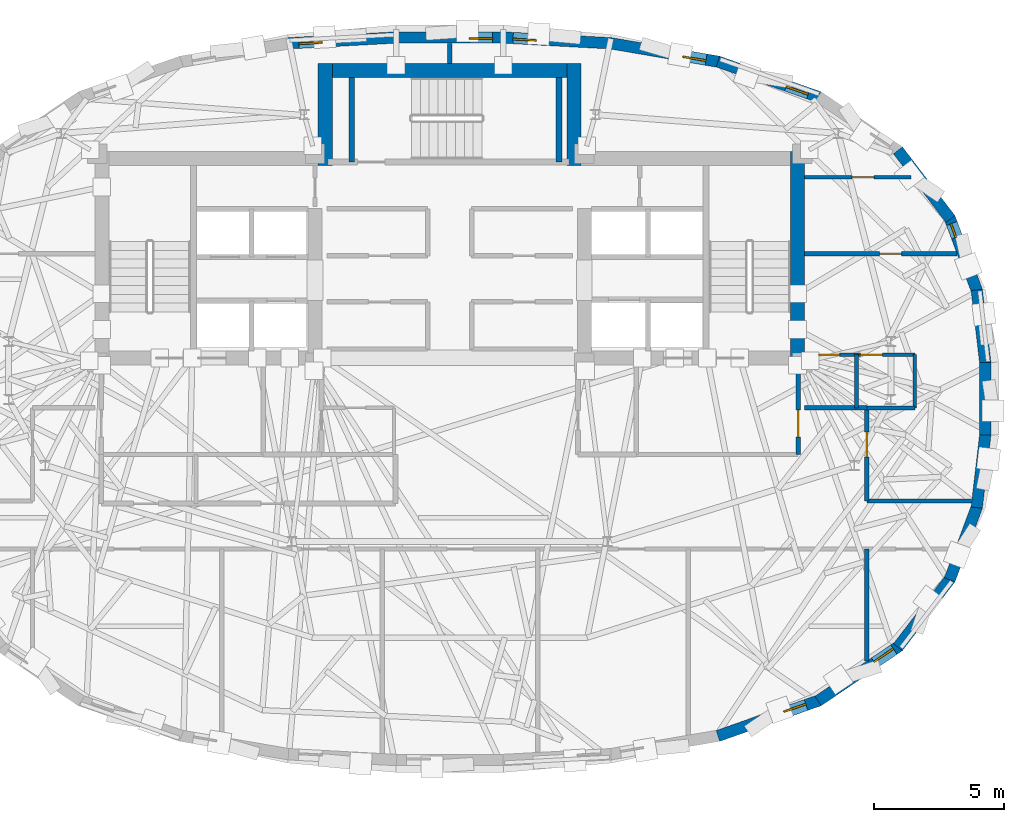
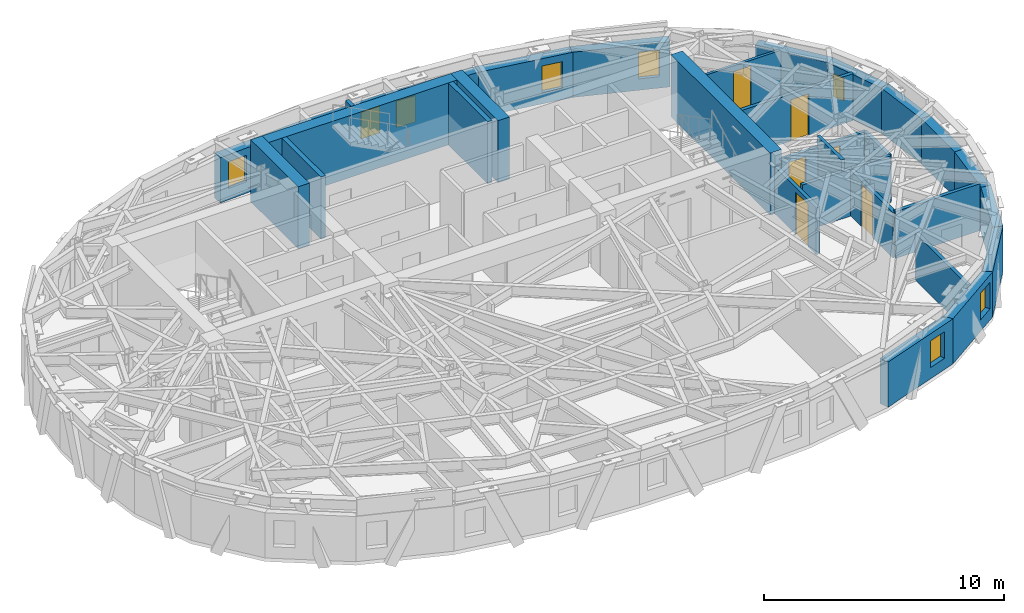
# One storey, part 8 of 12: 32 walls, 8 windows, 6 doors, 14 openings.
"""IFC4 building model written with IfcOpenShell, lengths in metres."""

from ifc_helpers import new_model, si_unit, direction, frame, frame_2d, origin, place, context, subcontext, project, spatial, rectangle, extrude, material, layer, layer_set, type_object, element, fill, save


model = new_model("IFC4")

# Units and contexts
model_context = context("Model", 3, precision=1e-05, world=origin(), true_north=direction((0.0, 1.0)))
body_context = subcontext(model_context, "Body", "Model", "MODEL_VIEW")
ifc_project = project(units=[si_unit("LENGTHUNIT", "METRE"), si_unit("AREAUNIT", "SQUARE_METRE"), si_unit("VOLUMEUNIT", "CUBIC_METRE"), si_unit("PLANEANGLEUNIT", "RADIAN"), si_unit("MASSUNIT", "GRAM", prefix="KILO")], contexts=[model_context])

# Site, building, storey
site_placement = place(None, origin())
site = spatial("IfcSite", under=ifc_project, at=site_placement, CompositionType="ELEMENT")
building_placement = place(site_placement, origin())
building = spatial("IfcBuilding", under=site, at=building_placement, Name="Keldmark Tower", CompositionType="ELEMENT")
storey_placement = place(building_placement, frame((0.0, 0.0, 257.25)))
storey = spatial("IfcBuildingStorey", under=building, at=storey_placement, Name="L73", CompositionType="ELEMENT", Elevation=257.25)

# Walls
ifc_material_1 = material(Name="Concrete C50/60", Category="concrete")
ifc_layer_1 = layer(ifc_material_1, 0.550048828125)
ifc_layer_set_1 = layer_set([ifc_layer_1], Name="Concrete C50/60")
wall_type_1 = type_object("IfcWallType", Name="High-Rise Core Shear Wall 550 mm", PredefinedType="SHEAR", material=ifc_layer_set_1)
wall_1_placement = place(storey_placement, frame((13.425048828125, 1.300048828125, 0.0), z_axis=(0.0, 0.0, 1.0), x_axis=(0.0, 1.0, 0.0)))
element("IfcWall", 1, at=wall_1_placement, inside=storey, type_object=wall_type_1, Name="L73 East Core Outer Shear Wall", PredefinedType="SHEAR", context=body_context, shape_type="SweptSolid", body=[
    extrude(rectangle(XDim=8.25, YDim=0.550048828125, at=frame_2d((4.125, 0.0))), origin(), (0.0, 0.0, 1.0), 3.14990234375),
])
wall_2_placement = place(storey_placement, frame((-5.074951171875, 12.675048828125, 0.0), z_axis=(0.0, 0.0, 1.0), x_axis=(1.0, 0.0, 0.0)))
element("IfcWall", 2, at=wall_2_placement, inside=storey, type_object=wall_type_1, Name="L73 North Core Shear Wall", PredefinedType="SHEAR", context=body_context, shape_type="SweptSolid", body=[
    extrude(rectangle(XDim=10.14990234375, YDim=0.550048828125, at=frame_2d((5.074951171875, 0.0))), origin(), (0.0, 0.0, 1.0), 3.14990234375),
])
for number, where, z_axis, x_axis, name in (
    (3, (-4.800048828125, 9.0, 0.0), (0.0, 0.0, 1.0), (0.0, 1.0, 0.0), "L73 North Core West Shear Wall"),
    (4, (4.800048828125, 9.0, 0.0), (0.0, 0.0, 1.0), (0.0, 1.0, 0.0), "L73 North Core East Shear Wall"),
):
    element("IfcWall", number, at=place(storey_placement, frame(where, z_axis=z_axis, x_axis=x_axis)), inside=storey, type_object=wall_type_1, Name=name, PredefinedType="SHEAR", context=body_context, shape_type="SweptSolid", body=[
        extrude(rectangle(XDim=3.949951171875, YDim=0.550048828125, at=frame_2d((1.97509765625, 0.0))), origin(), (0.0, 0.0, 1.0), 3.14990234375),
    ])

# Wall, opening, door
ifc_material_2 = material(Name="Acoustic Gypsum Board Interior Partition", Category="gypsum")
ifc_layer_2 = layer(ifc_material_2, 0.1298828125)
ifc_layer_set_2 = layer_set([ifc_layer_2], Name="Acoustic Gypsum Board Interior Partition")
wall_type_2 = type_object("IfcWallType", Name="Interior Partition 130 mm", PredefinedType="PARTITIONING", material=ifc_layer_set_2)
wall_3_placement = place(storey_placement, frame((13.699951171875, 8.550048828125, 0.0), z_axis=(0.0, 0.0, 1.0), x_axis=(1.0, 0.0, 0.0)))
wall_3 = element("IfcWall", 5, at=wall_3_placement, inside=storey, type_object=wall_type_2, Name="L73 Interior Partition 130 mm UA-NDIV2", PredefinedType="PARTITIONING", context=body_context, shape_type="SweptSolid", body=[
    extrude(rectangle(XDim=4.107666015625, YDim=0.1298828125, at=frame_2d((2.0537109375, 0.0))), origin(), (0.0, 0.0, 1.0), 2.383056640625),
])
opening_1_placement = place(wall_3_placement, frame((1.833984375, 0.0, 0.0)))
opening_1 = element("IfcOpeningElement", 6, at=opening_1_placement, cuts=wall_3, Name="Opening D-IN085", PredefinedType="OPENING", context=body_context, shape_type="SweptSolid", body=[
    extrude(rectangle(XDim=0.85009765625, YDim=2.10009765625, at=frame_2d((0.425048828125, 1.050048828125))), frame((0.0, 0.074951171875, 0.0), z_axis=(0.0, -1.0, 0.0), x_axis=(1.0, 0.0, 0.0)), (0.0, 0.0, 1.0), 0.14990234375),
])
ifc_material_3 = material(Name="Painted Architectural Wood", Category="wood")
door_type_1 = type_object("IfcDoorType", Name="Interior Door 850x2100", OperationType="NOTDEFINED", PredefinedType="DOOR", material=ifc_material_3)
door_1_placement = place(opening_1_placement, origin())
door_1 = element("IfcDoor", 7, at=door_1_placement, inside=storey, type_object=door_type_1, Name="L73 Interior Door 850x2100 D-UA-BR2-L73", OperationType="SINGLE_SWING_RIGHT", OverallHeight=2.10009765625, OverallWidth=0.85009765625, PredefinedType="DOOR", context=body_context, shape_type="SweptSolid", body=[
    extrude(rectangle(XDim=0.85009765625, YDim=2.10009765625, at=frame_2d((0.425048828125, 1.050048828125))), frame((0.0, 0.02490234375, 0.0), z_axis=(0.0, -1.0, 0.0), x_axis=(1.0, 0.0, 0.0)), (0.0, 0.0, 1.0), 0.050048828125),
])
fill(opening_1, door_1)

ifc_material_4 = material(Name="Type X Fire-Rated Gypsum Partition Assembly", Category="gypsum")
ifc_layer_3 = layer(ifc_material_4, 0.1650390625)
ifc_layer_set_3 = layer_set([ifc_layer_3], Name="Type X Fire-Rated Gypsum Partition Assembly")
wall_type_3 = type_object("IfcWallType", Name="Rated Partition 165 mm", PredefinedType="PARTITIONING", material=ifc_layer_set_3)
wall_4_placement = place(storey_placement, frame((13.449951171875, -2.14990234375, 0.0), z_axis=(0.0, 0.0, 1.0), x_axis=(0.0, 1.0, 0.0)))
wall_4 = element("IfcWall", 8, at=wall_4_placement, inside=storey, type_object=wall_type_3, Name="L73 Rated Partition 165 mm FSAE-E-E", PredefinedType="PARTITIONING", context=body_context, shape_type="SweptSolid", body=[
    extrude(rectangle(XDim=3.5, YDim=0.1650390625, at=frame_2d((1.75, 0.0))), origin(), (0.0, 0.0, 1.0), 2.383056640625),
])
opening_2_placement = place(wall_4_placement, frame((0.669921875, 0.0, 0.0)))
opening_2 = element("IfcOpeningElement", 9, at=opening_2_placement, cuts=wall_4, Name="Opening D-FL105", PredefinedType="OPENING", context=body_context, shape_type="SweptSolid", body=[
    extrude(rectangle(XDim=1.050048828125, YDim=2.14990234375, at=frame_2d((0.52490234375, 1.074951171875))), frame((0.0, 0.092529296875, 0.0), z_axis=(0.0, -1.0, 0.0), x_axis=(1.0, 0.0, 0.0)), (0.0, 0.0, 1.0), 0.18505859375),
])
ifc_material_5 = material(Name="Fire-Rated Mineral-Core Door and Vision Lite", Category="metal")
door_type_2 = type_object("IfcDoorType", Name="Fire Lobby Door 1050x2150", OperationType="NOTDEFINED", PredefinedType="DOOR", material=ifc_material_5)
door_2_placement = place(opening_2_placement, origin())
door_2 = element("IfcDoor", 10, at=door_2_placement, inside=storey, type_object=door_type_2, Name="L73 Fire Lobby Door 1050x2150 D-FSAEE-OUT-L73", OperationType="SINGLE_SWING_RIGHT", OverallHeight=2.14990234375, OverallWidth=1.050048828125, PredefinedType="DOOR", context=body_context, shape_type="SweptSolid", body=[
    extrude(rectangle(XDim=1.050048828125, YDim=2.14990234375, at=frame_2d((0.52490234375, 1.074951171875))), frame((0.0, 0.02490234375, 0.0), z_axis=(0.0, -1.0, 0.0), x_axis=(1.0, 0.0, 0.0)), (0.0, 0.0, 1.0), 0.050048828125),
])
fill(opening_2, door_2)

# Wall
wall_5_placement = place(storey_placement, frame((16.10009765625, -3.949951171875, 0.0), z_axis=(0.0, 0.0, 1.0), x_axis=(1.0, 0.0, 0.0)))
element("IfcWall", 11, at=wall_5_placement, inside=storey, type_object=wall_type_3, Name="L73 Rated Partition 165 mm RCOR-EN-OUT", PredefinedType="PARTITIONING", context=body_context, shape_type="SweptSolid", body=[
    extrude(rectangle(XDim=4.041748046875, YDim=0.1650390625, at=frame_2d((2.02099609375, 0.0))), origin(), (0.0, 0.0, 1.0), 2.383056640625),
])

# Wall, opening, door
wall_6_placement = place(storey_placement, frame((16.10009765625, -3.949951171875, 0.0), z_axis=(0.0, 0.0, 1.0), x_axis=(0.0, 1.0, 0.0)))
wall_6 = element("IfcWall", 12, at=wall_6_placement, inside=storey, type_object=wall_type_3, Name="L73 Rated Partition 165 mm RCOR-VE", PredefinedType="PARTITIONING", context=body_context, shape_type="SweptSolid", body=[
    extrude(rectangle(XDim=3.599853515625, YDim=0.1650390625, at=frame_2d((1.7998046875, 0.0))), origin(), (0.0, 0.0, 1.0), 2.31689453125),
])
opening_3_placement = place(wall_6_placement, frame((1.7099609375, 0.0, 0.0)))
opening_3 = element("IfcOpeningElement", 13, at=opening_3_placement, cuts=wall_6, Name="Opening D-AP095", PredefinedType="OPENING", context=body_context, shape_type="SweptSolid", body=[
    extrude(rectangle(XDim=0.949951171875, YDim=2.14990234375, at=frame_2d((0.47509765625, 1.074951171875))), frame((0.0, 0.092529296875, 0.0), z_axis=(0.0, -1.0, 0.0), x_axis=(1.0, 0.0, 0.0)), (0.0, 0.0, 1.0), 0.18505859375),
])
ifc_material_6 = material(Name="Solid-Core Walnut Fire-Rated Entry Assembly", Category="wood")
door_type_3 = type_object("IfcDoorType", Name="Apartment Entry Door 950x2150", OperationType="NOTDEFINED", PredefinedType="DOOR", material=ifc_material_6)
door_3_placement = place(opening_3_placement, origin())
door_3 = element("IfcDoor", 14, at=door_3_placement, inside=storey, type_object=door_type_3, Name="L73 Apartment Entry Door 950x2150 D-UA-ENT-L73", OperationType="SINGLE_SWING_RIGHT", OverallHeight=2.14990234375, OverallWidth=0.949951171875, PredefinedType="DOOR", context=body_context, shape_type="SweptSolid", body=[
    extrude(rectangle(XDim=0.949951171875, YDim=2.14990234375, at=frame_2d((0.47509765625, 1.074951171875))), frame((0.0, 0.02490234375, 0.0), z_axis=(0.0, -1.0, 0.0), x_axis=(1.0, 0.0, 0.0)), (0.0, 0.0, 1.0), 0.050048828125),
])
fill(opening_3, door_3)

# Walls
wall_7_placement = place(storey_placement, frame((13.699951171875, -0.35009765625, 0.0), z_axis=(0.0, 0.0, 1.0), x_axis=(1.0, 0.0, 0.0)))
element("IfcWall", 15, at=wall_7_placement, inside=storey, type_object=wall_type_3, Name="L73 Rated Partition 165 mm RCOR-VEN", PredefinedType="PARTITIONING", context=body_context, shape_type="SweptSolid", body=[
    extrude(rectangle(XDim=2.400146484375, YDim=0.1650390625, at=frame_2d((1.2001953125, 0.0))), origin(), (0.0, 0.0, 1.0), 2.383056640625),
])
wall_8_placement = place(storey_placement, frame((0.0, 12.949951171875, 0.0), z_axis=(0.0, 0.0, 1.0), x_axis=(0.0, 1.0, 0.0)))
element("IfcWall", 16, at=wall_8_placement, inside=storey, type_object=wall_type_3, Name="L73 Rated Partition 165 mm RN-DIV", PredefinedType="PARTITIONING", context=body_context, shape_type="SweptSolid", body=[
    extrude(rectangle(XDim=0.766357421875, YDim=0.1650390625, at=frame_2d((0.38330078125, 0.0))), origin(), (0.0, 0.0, 1.0), 2.929931640625),
])

# Wall, opening, door
wall_9_placement = place(storey_placement, frame((13.699951171875, 5.60009765625, 0.0), z_axis=(0.0, 0.0, 1.0), x_axis=(1.0, 0.0, 0.0)))
wall_9 = element("IfcWall", 17, at=wall_9_placement, inside=storey, type_object=wall_type_3, Name="L73 Rated Partition 165 mm RE-NDIV", PredefinedType="PARTITIONING", context=body_context, shape_type="SweptSolid", body=[
    extrude(rectangle(XDim=5.87158203125, YDim=0.1650390625, at=frame_2d((2.935791015625, 0.0))), origin(), (0.0, 0.0, 1.0), 2.383056640625),
])
opening_4_placement = place(wall_9_placement, frame((2.888916015625, 0.0, 0.0)))
opening_4 = element("IfcOpeningElement", 18, at=opening_4_placement, cuts=wall_9, Name="Opening D-BR085", PredefinedType="OPENING", context=body_context, shape_type="SweptSolid", body=[
    extrude(rectangle(XDim=0.85009765625, YDim=2.10009765625, at=frame_2d((0.425048828125, 1.050048828125))), frame((0.0, 0.092529296875, 0.0), z_axis=(0.0, -1.0, 0.0), x_axis=(1.0, 0.0, 0.0)), (0.0, 0.0, 1.0), 0.18505859375),
])
ifc_material_7 = material(Name="Solid-Core Stained Walnut Wood", Category="wood")
door_type_4 = type_object("IfcDoorType", Name="Bedroom Door 850x2100", OperationType="NOTDEFINED", PredefinedType="DOOR", material=ifc_material_7)
door_4_placement = place(opening_4_placement, origin())
door_4 = element("IfcDoor", 19, at=door_4_placement, inside=storey, type_object=door_type_4, Name="L73 Bedroom Door 850x2100 D-UA-BR1-L73", OperationType="SINGLE_SWING_LEFT", OverallHeight=2.10009765625, OverallWidth=0.85009765625, PredefinedType="DOOR", context=body_context, shape_type="SweptSolid", body=[
    extrude(rectangle(XDim=0.85009765625, YDim=2.10009765625, at=frame_2d((0.425048828125, 1.050048828125))), frame((0.0, 0.02490234375, 0.0), z_axis=(0.0, -1.0, 0.0), x_axis=(1.0, 0.0, 0.0)), (0.0, 0.0, 1.0), 0.050048828125),
])
fill(opening_4, door_4)

# Walls
wall_10_placement = place(storey_placement, frame((16.10009765625, -10.114501953125, 0.0), z_axis=(0.0, 0.0, 1.0), x_axis=(0.0, 1.0, 0.0)))
element("IfcWall", 20, at=wall_10_placement, inside=storey, type_object=wall_type_3, Name="L73 Rated Partition 165 mm RS-ECAP", PredefinedType="PARTITIONING", context=body_context, shape_type="SweptSolid", body=[
    extrude(rectangle(XDim=4.314453125, YDim=0.1650390625, at=frame_2d((2.1572265625, 0.0))), origin(), (0.0, 0.0, 1.0), 2.383056640625),
])
ifc_material_8 = material(Name="Concrete C50/60", Category="concrete")
ifc_layer_4 = layer(ifc_material_8, 0.219970703125)
ifc_layer_set_4 = layer_set([ifc_layer_4], Name="Concrete C50/60")
wall_type_4 = type_object("IfcWallType", Name="Stair Core Shear Wall 220 mm", PredefinedType="SHEAR", material=ifc_layer_set_4)
for number, where, z_axis, x_axis, name in (
    (21, (-3.784912109375, 9.139892578125, 0.0), (0.0, 0.0, 1.0), (0.0, 1.0, 0.0), "L73 Central Stair Core West Shear Wall"),
    (22, (4.215087890625, 9.139892578125, 0.0), (0.0, 0.0, 1.0), (0.0, 1.0, 0.0), "L73 Central Stair Core East Shear Wall"),
):
    element("IfcWall", number, at=place(storey_placement, frame(where, z_axis=z_axis, x_axis=x_axis)), inside=storey, type_object=wall_type_4, Name=name, PredefinedType="SHEAR", context=body_context, shape_type="SweptSolid", body=[
        extrude(rectangle(XDim=3.260009765625, YDim=0.219970703125, at=frame_2d((1.6298828125, 0.0))), origin(), (0.0, 0.0, 1.0), 3.14990234375),
    ])
ifc_material_9 = material(Name="Ironspot Manganese Brick and Kasota Buff Limestone Spandrel Assembly", Category="masonry")
ifc_layer_5 = layer(ifc_material_9, 0.43994140625)
ifc_layer_set_5 = layer_set([ifc_layer_5], Name="Ironspot Manganese Brick and Kasota Buff Limestone Spandrel Assembly")
wall_type_5 = type_object("IfcWallType", Name="Tower Brick Pier and Spandrel Wall 440 mm", PredefinedType="STANDARD", material=ifc_layer_set_5)
wall_11_placement = place(storey_placement, frame((20.341796875, 4.202880859375, 0.0), z_axis=(0.0, 0.0, 1.0), x_axis=(0.116300017341, -0.99321412896, 0.0)))
element("IfcWall", 23, at=wall_11_placement, inside=storey, type_object=wall_type_5, Name="L73 Exterior Brick and Spandrel Wall 01", PredefinedType="STANDARD", context=body_context, shape_type="SweptSolid", body=[
    extrude(rectangle(XDim=2.852783203125, YDim=0.43994140625, at=frame_2d((1.42626953125, 0.0))), origin(), (0.0, 0.0, 1.0), 2.2958984375),
])

# Wall, opening, window
wall_12_placement = place(storey_placement, frame((19.296875, 6.990966796875, 0.0), z_axis=(0.0, 0.0, 1.0), x_axis=(0.34898554078, -0.937128108813, 0.0)))
wall_12 = element("IfcWall", 24, at=wall_12_placement, inside=storey, type_object=wall_type_5, Name="L73 Exterior Brick and Spandrel Wall 02", PredefinedType="STANDARD", context=body_context, shape_type="SweptSolid", body=[
    extrude(rectangle(XDim=3.02978515625, YDim=0.43994140625, at=frame_2d((1.514892578125, 0.0))), origin(), (0.0, 0.0, 1.0), 2.2958984375),
])
opening_5_placement = place(wall_12_placement, frame((0.239501953125, 0.0, 0.580078125)))
opening_5 = element("IfcOpeningElement", 25, at=opening_5_placement, cuts=wall_12, Name="Opening W-10", PredefinedType="OPENING", context=body_context, shape_type="SweptSolid", body=[
    extrude(rectangle(XDim=0.56005859375, YDim=1.14990234375, at=frame_2d((0.280029296875, 0.574951171875))), frame((0.0, 0.22998046875, 0.0), z_axis=(0.0, -1.0, 0.0), x_axis=(1.0, 0.0, 0.0)), (0.0, 0.0, 1.0), 0.4599609375),
])
ifc_material_10 = material(Name="Thermally Broken Anodized Aluminum and Triple Low-E Argon Glazing", Category="aluminium")
window_type_1 = type_object("IfcWindowType", Name="Narrow Pier Lancet Window 560x1150", PartitioningType="SINGLE_PANEL", PredefinedType="WINDOW", material=ifc_material_10)
window_1_placement = place(opening_5_placement, origin())
window_1 = element("IfcWindow", 26, at=window_1_placement, inside=storey, type_object=window_type_1, Name="L73 Pier Window RM01", OverallHeight=1.14990234375, OverallWidth=0.56005859375, PartitioningType="SINGLE_PANEL", PredefinedType="WINDOW", context=body_context, shape_type="SweptSolid", body=[
    extrude(rectangle(XDim=0.56005859375, YDim=1.14990234375, at=frame_2d((0.280029296875, 0.574951171875))), frame((0.0, -0.010009765625, 0.0), z_axis=(0.0, -1.0, 0.0), x_axis=(1.0, 0.0, 0.0)), (0.0, 0.0, 1.0), 0.06005859375),
])
fill(opening_5, window_1)

# Wall
wall_13_placement = place(storey_placement, frame((17.300537109375, 9.58984375, 0.0), z_axis=(0.0, 0.0, 1.0), x_axis=(0.606828844818, -0.794832531479, 0.0)))
element("IfcWall", 27, at=wall_13_placement, inside=storey, type_object=wall_type_5, Name="L73 Exterior Brick and Spandrel Wall 03", PredefinedType="STANDARD", context=body_context, shape_type="SweptSolid", body=[
    extrude(rectangle(XDim=3.34130859375, YDim=0.43994140625, at=frame_2d((1.670654296875, 0.0))), origin(), (0.0, 0.0, 1.0), 2.2958984375),
])

# Wall, opening, window
wall_14_placement = place(storey_placement, frame((10.351806640625, 13.01513671875, 0.0), z_axis=(0.0, 0.0, 1.0), x_axis=(0.943571934891, -0.331167636834, 0.0)))
wall_14 = element("IfcWall", 28, at=wall_14_placement, inside=storey, type_object=wall_type_5, Name="L73 Exterior Brick and Spandrel Wall 05", PredefinedType="STANDARD", context=body_context, shape_type="SweptSolid", body=[
    extrude(rectangle(XDim=4.151123046875, YDim=0.43994140625, at=frame_2d((2.07568359375, 0.0))), origin(), (0.0, 0.0, 1.0), 2.2958984375),
])
opening_6_placement = place(wall_14_placement, frame((2.805419921875, 0.0, 0.580078125)))
opening_6 = element("IfcOpeningElement", 29, at=opening_6_placement, cuts=wall_14, Name="Opening W-09", PredefinedType="OPENING", context=body_context, shape_type="SweptSolid", body=[
    extrude(rectangle(XDim=0.89990234375, YDim=1.35009765625, at=frame_2d((0.449951171875, 0.675048828125))), frame((0.0, 0.22998046875, 0.0), z_axis=(0.0, -1.0, 0.0), x_axis=(1.0, 0.0, 0.0)), (0.0, 0.0, 1.0), 0.4599609375),
])
ifc_material_11 = material(Name="Thermally Broken Anodized Aluminum and Triple Low-E Argon Glazing", Category="aluminium")
window_type_2 = type_object("IfcWindowType", Name="Corner Pier Deep-Set Window 900x1350", PartitioningType="SINGLE_PANEL", PredefinedType="WINDOW", material=ifc_material_11)
window_2_placement = place(opening_6_placement, origin())
window_2 = element("IfcWindow", 30, at=window_2_placement, inside=storey, type_object=window_type_2, Name="L73 Deep-Set Window 05", OverallHeight=1.35009765625, OverallWidth=0.89990234375, PartitioningType="SINGLE_PANEL", PredefinedType="WINDOW", context=body_context, shape_type="SweptSolid", body=[
    extrude(rectangle(XDim=0.89990234375, YDim=1.35009765625, at=frame_2d((0.449951171875, 0.675048828125))), frame((0.0, -0.010009765625, 0.0), z_axis=(0.0, -1.0, 0.0), x_axis=(1.0, 0.0, 0.0)), (0.0, 0.0, 1.0), 0.06005859375),
])
fill(opening_6, window_2)

wall_15_placement = place(storey_placement, frame((6.19970703125, 13.722900390625, 0.0), z_axis=(0.0, 0.0, 1.0), x_axis=(0.985667057966, -0.168702254995, 0.0)))
wall_15 = element("IfcWall", 31, at=wall_15_placement, inside=storey, type_object=wall_type_5, Name="L73 Exterior Brick and Spandrel Wall 06", PredefinedType="STANDARD", context=body_context, shape_type="SweptSolid", body=[
    extrude(rectangle(XDim=4.248779296875, YDim=0.43994140625, at=frame_2d((2.12451171875, 0.0))), origin(), (0.0, 0.0, 1.0), 2.2958984375),
])
opening_7_placement = place(wall_15_placement, frame((2.848876953125, 0.0, 0.580078125)))
opening_7 = element("IfcOpeningElement", 32, at=opening_7_placement, cuts=wall_15, Name="Opening W-09", PredefinedType="OPENING", context=body_context, shape_type="SweptSolid", body=[
    extrude(rectangle(XDim=0.89990234375, YDim=1.35009765625, at=frame_2d((0.449951171875, 0.675048828125))), frame((0.0, 0.22998046875, 0.0), z_axis=(0.0, -1.0, 0.0), x_axis=(1.0, 0.0, 0.0)), (0.0, 0.0, 1.0), 0.4599609375),
])
window_3_placement = place(opening_7_placement, origin())
window_3 = element("IfcWindow", 33, at=window_3_placement, inside=storey, type_object=window_type_2, Name="L73 Deep-Set Window 06", OverallHeight=1.35009765625, OverallWidth=0.89990234375, PartitioningType="SINGLE_PANEL", PredefinedType="WINDOW", context=body_context, shape_type="SweptSolid", body=[
    extrude(rectangle(XDim=0.89990234375, YDim=1.35009765625, at=frame_2d((0.449951171875, 0.675048828125))), frame((0.0, -0.010009765625, 0.0), z_axis=(0.0, -1.0, 0.0), x_axis=(1.0, 0.0, 0.0)), (0.0, 0.0, 1.0), 0.06005859375),
])
fill(opening_7, window_3)

wall_16_placement = place(storey_placement, frame((2.0458984375, 13.944580078125, 0.0), z_axis=(0.0, 0.0, 1.0), x_axis=(0.998558880418, -0.053667143941, 0.0)))
wall_16 = element("IfcWall", 34, at=wall_16_placement, inside=storey, type_object=wall_type_5, Name="L73 Exterior Brick and Spandrel Wall 07", PredefinedType="STANDARD", context=body_context, shape_type="SweptSolid", body=[
    extrude(rectangle(XDim=4.185302734375, YDim=0.43994140625, at=frame_2d((2.0927734375, 0.0))), origin(), (0.0, 0.0, 1.0), 2.2958984375),
])
opening_8_placement = place(wall_16_placement, frame((0.39892578125, 0.0, 0.580078125)))
opening_8 = element("IfcOpeningElement", 35, at=opening_8_placement, cuts=wall_16, Name="Opening W-09", PredefinedType="OPENING", context=body_context, shape_type="SweptSolid", body=[
    extrude(rectangle(XDim=0.89990234375, YDim=1.35009765625, at=frame_2d((0.449951171875, 0.675048828125))), frame((0.0, 0.22998046875, 0.0), z_axis=(0.0, -1.0, 0.0), x_axis=(1.0, 0.0, 0.0)), (0.0, 0.0, 1.0), 0.4599609375),
])
window_4_placement = place(opening_8_placement, origin())
window_4 = element("IfcWindow", 36, at=window_4_placement, inside=storey, type_object=window_type_2, Name="L73 Deep-Set Window 07", OverallHeight=1.35009765625, OverallWidth=0.89990234375, PartitioningType="SINGLE_PANEL", PredefinedType="WINDOW", context=body_context, shape_type="SweptSolid", body=[
    extrude(rectangle(XDim=0.89990234375, YDim=1.35009765625, at=frame_2d((0.449951171875, 0.675048828125))), frame((0.0, -0.010009765625, 0.0), z_axis=(0.0, -1.0, 0.0), x_axis=(1.0, 0.0, 0.0)), (0.0, 0.0, 1.0), 0.06005859375),
])
fill(opening_8, window_4)

wall_17_placement = place(storey_placement, frame((-2.0576171875, 13.9443359375, 0.0), z_axis=(0.0, 0.0, 1.0), x_axis=(1.0, 0.0, 0.0)))
wall_17 = element("IfcWall", 37, at=wall_17_placement, inside=storey, type_object=wall_type_5, Name="L73 Exterior Brick and Spandrel Wall 08", PredefinedType="STANDARD", context=body_context, shape_type="SweptSolid", body=[
    extrude(rectangle(XDim=4.115234375, YDim=0.43994140625, at=frame_2d((2.0576171875, 0.0))), origin(), (0.0, 0.0, 1.0), 2.2958984375),
])
opening_9_placement = place(wall_17_placement, frame((2.81787109375, 0.0, 0.580078125)))
opening_9 = element("IfcOpeningElement", 38, at=opening_9_placement, cuts=wall_17, Name="Opening W-09", PredefinedType="OPENING", context=body_context, shape_type="SweptSolid", body=[
    extrude(rectangle(XDim=0.89990234375, YDim=1.35009765625, at=frame_2d((0.449951171875, 0.675048828125))), frame((0.0, 0.22998046875, 0.0), z_axis=(0.0, -1.0, 0.0), x_axis=(1.0, 0.0, 0.0)), (0.0, 0.0, 1.0), 0.4599609375),
])
window_5_placement = place(opening_9_placement, origin())
window_5 = element("IfcWindow", 39, at=window_5_placement, inside=storey, type_object=window_type_2, Name="L73 Deep-Set Window 08", OverallHeight=1.35009765625, OverallWidth=0.89990234375, PartitioningType="SINGLE_PANEL", PredefinedType="WINDOW", context=body_context, shape_type="SweptSolid", body=[
    extrude(rectangle(XDim=0.89990234375, YDim=1.35009765625, at=frame_2d((0.449951171875, 0.675048828125))), frame((0.0, -0.010009765625, 0.0), z_axis=(0.0, -1.0, 0.0), x_axis=(1.0, 0.0, 0.0)), (0.0, 0.0, 1.0), 0.06005859375),
])
fill(opening_9, window_5)

wall_18_placement = place(storey_placement, frame((-6.22509765625, 13.719970703125, 0.0), z_axis=(0.0, 0.0, 1.0), x_axis=(0.998558880418, 0.053667143941, 0.0)))
wall_18 = element("IfcWall", 40, at=wall_18_placement, inside=storey, type_object=wall_type_5, Name="L73 Exterior Brick and Spandrel Wall 09", PredefinedType="STANDARD", context=body_context, shape_type="SweptSolid", body=[
    extrude(rectangle(XDim=4.185302734375, YDim=0.43994140625, at=frame_2d((2.0927734375, 0.0))), origin(), (0.0, 0.0, 1.0), 2.2958984375),
])
opening_10_placement = place(wall_18_placement, frame((0.39892578125, 0.0, 0.580078125)))
opening_10 = element("IfcOpeningElement", 41, at=opening_10_placement, cuts=wall_18, Name="Opening W-09", PredefinedType="OPENING", context=body_context, shape_type="SweptSolid", body=[
    extrude(rectangle(XDim=0.89990234375, YDim=1.35009765625, at=frame_2d((0.449951171875, 0.675048828125))), frame((0.0, 0.22998046875, 0.0), z_axis=(0.0, -1.0, 0.0), x_axis=(1.0, 0.0, 0.0)), (0.0, 0.0, 1.0), 0.4599609375),
])
window_6_placement = place(opening_10_placement, origin())
window_6 = element("IfcWindow", 42, at=window_6_placement, inside=storey, type_object=window_type_2, Name="L73 Deep-Set Window 09", OverallHeight=1.35009765625, OverallWidth=0.89990234375, PartitioningType="SINGLE_PANEL", PredefinedType="WINDOW", context=body_context, shape_type="SweptSolid", body=[
    extrude(rectangle(XDim=0.89990234375, YDim=1.35009765625, at=frame_2d((0.449951171875, 0.675048828125))), frame((0.0, -0.010009765625, 0.0), z_axis=(0.0, -1.0, 0.0), x_axis=(1.0, 0.0, 0.0)), (0.0, 0.0, 1.0), 0.06005859375),
])
fill(opening_10, window_6)

wall_19_placement = place(storey_placement, frame((14.268798828125, -11.640380859375, 0.0), z_axis=(0.0, 0.0, 1.0), x_axis=(-0.943571934891, -0.331167636834, 0.0)))
wall_19 = element("IfcWall", 43, at=wall_19_placement, inside=storey, type_object=wall_type_5, Name="L73 Exterior Brick and Spandrel Wall 27", PredefinedType="STANDARD", context=body_context, shape_type="SweptSolid", body=[
    extrude(rectangle(XDim=4.151123046875, YDim=0.43994140625, at=frame_2d((2.07568359375, 0.0))), origin(), (0.0, 0.0, 1.0), 2.2958984375),
])
opening_11_placement = place(wall_19_placement, frame((0.544189453125, 0.0, 0.580078125)))
opening_11 = element("IfcOpeningElement", 44, at=opening_11_placement, cuts=wall_19, Name="Opening W-09", PredefinedType="OPENING", context=body_context, shape_type="SweptSolid", body=[
    extrude(rectangle(XDim=0.89990234375, YDim=1.35009765625, at=frame_2d((0.449951171875, 0.675048828125))), frame((0.0, 0.22998046875, 0.0), z_axis=(0.0, -1.0, 0.0), x_axis=(1.0, 0.0, 0.0)), (0.0, 0.0, 1.0), 0.4599609375),
])
window_7_placement = place(opening_11_placement, origin())
window_7 = element("IfcWindow", 45, at=window_7_placement, inside=storey, type_object=window_type_2, Name="L73 Deep-Set Window 27", OverallHeight=1.35009765625, OverallWidth=0.89990234375, PartitioningType="SINGLE_PANEL", PredefinedType="WINDOW", context=body_context, shape_type="SweptSolid", body=[
    extrude(rectangle(XDim=0.89990234375, YDim=1.35009765625, at=frame_2d((0.449951171875, 0.675048828125))), frame((0.0, -0.010009765625, 0.0), z_axis=(0.0, -1.0, 0.0), x_axis=(1.0, 0.0, 0.0)), (0.0, 0.0, 1.0), 0.06005859375),
])
fill(opening_11, window_7)

wall_20_placement = place(storey_placement, frame((17.351806640625, -9.541259765625, 0.0), z_axis=(0.0, 0.0, 1.0), x_axis=(-0.827669406477, -0.561215959842, 0.0)))
wall_20 = element("IfcWall", 46, at=wall_20_placement, inside=storey, type_object=wall_type_5, Name="L73 Exterior Brick and Spandrel Wall 28", PredefinedType="STANDARD", context=body_context, shape_type="SweptSolid", body=[
    extrude(rectangle(XDim=3.785888671875, YDim=0.43994140625, at=frame_2d((1.89306640625, 0.0))), origin(), (0.0, 0.0, 1.0), 2.2958984375),
])
opening_12_placement = place(wall_20_placement, frame((0.249755859375, 0.0, 0.580078125)))
opening_12 = element("IfcOpeningElement", 47, at=opening_12_placement, cuts=wall_20, Name="Opening W-09", PredefinedType="OPENING", context=body_context, shape_type="SweptSolid", body=[
    extrude(rectangle(XDim=0.89990234375, YDim=1.35009765625, at=frame_2d((0.449951171875, 0.675048828125))), frame((0.0, 0.22998046875, 0.0), z_axis=(0.0, -1.0, 0.0), x_axis=(1.0, 0.0, 0.0)), (0.0, 0.0, 1.0), 0.4599609375),
])
window_8_placement = place(opening_12_placement, origin())
window_8 = element("IfcWindow", 48, at=window_8_placement, inside=storey, type_object=window_type_2, Name="L73 Deep-Set Window 28", OverallHeight=1.35009765625, OverallWidth=0.89990234375, PartitioningType="SINGLE_PANEL", PredefinedType="WINDOW", context=body_context, shape_type="SweptSolid", body=[
    extrude(rectangle(XDim=0.89990234375, YDim=1.35009765625, at=frame_2d((0.449951171875, 0.675048828125))), frame((0.0, -0.010009765625, 0.0), z_axis=(0.0, -1.0, 0.0), x_axis=(1.0, 0.0, 0.0)), (0.0, 0.0, 1.0), 0.06005859375),
])
fill(opening_12, window_8)

# Walls
wall_21_placement = place(storey_placement, frame((19.328125, -6.93408203125, 0.0), z_axis=(0.0, 0.0, 1.0), x_axis=(-0.606828844818, -0.794832531479, 0.0)))
element("IfcWall", 49, at=wall_21_placement, inside=storey, type_object=wall_type_5, Name="L73 Exterior Brick and Spandrel Wall 29", PredefinedType="STANDARD", context=body_context, shape_type="SweptSolid", body=[
    extrude(rectangle(XDim=3.34130859375, YDim=0.43994140625, at=frame_2d((1.670654296875, 0.0))), origin(), (0.0, 0.0, 1.0), 2.2958984375),
])
wall_22_placement = place(storey_placement, frame((20.354248046875, -4.151611328125, 0.0), z_axis=(0.0, 0.0, 1.0), x_axis=(-0.34898554078, -0.937128108813, 0.0)))
element("IfcWall", 50, at=wall_22_placement, inside=storey, type_object=wall_type_5, Name="L73 Exterior Brick and Spandrel Wall 30", PredefinedType="STANDARD", context=body_context, shape_type="SweptSolid", body=[
    extrude(rectangle(XDim=3.02978515625, YDim=0.43994140625, at=frame_2d((1.514892578125, 0.0))), origin(), (0.0, 0.0, 1.0), 2.2958984375),
])
wall_23_placement = place(storey_placement, frame((20.673583984375, -1.369384765625, 0.0), z_axis=(0.0, 0.0, 1.0), x_axis=(-0.116300017341, -0.99321412896, 0.0)))
element("IfcWall", 51, at=wall_23_placement, inside=storey, type_object=wall_type_5, Name="L73 Exterior Brick and Spandrel Wall 31", PredefinedType="STANDARD", context=body_context, shape_type="SweptSolid", body=[
    extrude(rectangle(XDim=2.852783203125, YDim=0.43994140625, at=frame_2d((1.42626953125, 0.0))), origin(), (0.0, 0.0, 1.0), 2.2958984375),
])
wall_24_placement = place(storey_placement, frame((20.672119140625, 1.39501953125, 0.0), z_axis=(0.0, 0.0, 1.0), x_axis=(0.0, -1.0, 0.0)))
element("IfcWall", 52, at=wall_24_placement, inside=storey, type_object=wall_type_5, Name="L73 Exterior Brick and Spandrel Wall 32", PredefinedType="STANDARD", context=body_context, shape_type="SweptSolid", body=[
    extrude(rectangle(XDim=2.7900390625, YDim=0.43994140625, at=frame_2d((1.39501953125, 0.0))), origin(), (0.0, 0.0, 1.0), 2.2958984375),
])

# Wall, openings, doors
ifc_material_12 = material(Name="Moisture-Resistant Gypsum Plumbing Partition", Category="gypsum")
ifc_layer_6 = layer(ifc_material_12, 0.14990234375)
ifc_layer_set_6 = layer_set([ifc_layer_6], Name="Moisture-Resistant Gypsum Plumbing Partition")
wall_type_6 = type_object("IfcWallType", Name="Wet Wall 150 mm", PredefinedType="PLUMBINGWALL", material=ifc_layer_set_6)
wall_25_placement = place(storey_placement, frame((13.699951171875, 1.699951171875, 0.0), z_axis=(0.0, 0.0, 1.0), x_axis=(1.0, 0.0, 0.0)))
wall_25 = element("IfcWall", 53, at=wall_25_placement, inside=storey, type_object=wall_type_6, Name="L73 Wet Wall 150 mm UA-BK-N", PredefinedType="PLUMBINGWALL", context=body_context, shape_type="SweptSolid", body=[
    extrude(rectangle(XDim=4.25, YDim=0.14990234375, at=frame_2d((2.125, 0.0))), origin(), (0.0, 0.0, 1.0), 2.383056640625),
])
opening_13_placement = place(wall_25_placement, frame((0.550048828125, 0.0, 0.0)))
opening_13 = element("IfcOpeningElement", 54, at=opening_13_placement, cuts=wall_25, Name="Opening D-BT080", PredefinedType="OPENING", context=body_context, shape_type="SweptSolid", body=[
    extrude(rectangle(XDim=0.800048828125, YDim=2.10009765625, at=frame_2d((0.39990234375, 1.050048828125))), frame((0.0, 0.0849609375, 0.0), z_axis=(0.0, -1.0, 0.0), x_axis=(1.0, 0.0, 0.0)), (0.0, 0.0, 1.0), 0.169921875),
])
opening_14_placement = place(wall_25_placement, frame((2.14990234375, 0.0, 0.0)))
opening_14 = element("IfcOpeningElement", 55, at=opening_14_placement, cuts=wall_25, Name="Opening D-IN085", PredefinedType="OPENING", context=body_context, shape_type="SweptSolid", body=[
    extrude(rectangle(XDim=0.85009765625, YDim=2.10009765625, at=frame_2d((0.425048828125, 1.050048828125))), frame((0.0, 0.0849609375, 0.0), z_axis=(0.0, -1.0, 0.0), x_axis=(1.0, 0.0, 0.0)), (0.0, 0.0, 1.0), 0.169921875),
])
ifc_material_13 = material(Name="Moisture-Sealed Stained Wood", Category="wood")
door_type_5 = type_object("IfcDoorType", Name="Bathroom Door 800x2100", OperationType="NOTDEFINED", PredefinedType="DOOR", material=ifc_material_13)
door_5_placement = place(opening_13_placement, origin())
door_5 = element("IfcDoor", 56, at=door_5_placement, inside=storey, type_object=door_type_5, Name="L73 Bathroom Door 800x2100 D-UA-BATH-L73", OperationType="SINGLE_SWING_RIGHT", OverallHeight=2.10009765625, OverallWidth=0.800048828125, PredefinedType="DOOR", context=body_context, shape_type="SweptSolid", body=[
    extrude(rectangle(XDim=0.800048828125, YDim=2.10009765625, at=frame_2d((0.39990234375, 1.050048828125))), frame((0.0, 0.02490234375, 0.0), z_axis=(0.0, -1.0, 0.0), x_axis=(1.0, 0.0, 0.0)), (0.0, 0.0, 1.0), 0.050048828125),
])
fill(opening_13, door_5)
door_6_placement = place(opening_14_placement, origin())
door_6 = element("IfcDoor", 57, at=door_6_placement, inside=storey, type_object=door_type_1, Name="L73 Interior Door 850x2100 D-UA-KIT-L73", OperationType="SINGLE_SWING_LEFT", OverallHeight=2.10009765625, OverallWidth=0.85009765625, PredefinedType="DOOR", context=body_context, shape_type="SweptSolid", body=[
    extrude(rectangle(XDim=0.85009765625, YDim=2.10009765625, at=frame_2d((0.425048828125, 1.050048828125))), frame((0.0, 0.02490234375, 0.0), z_axis=(0.0, -1.0, 0.0), x_axis=(1.0, 0.0, 0.0)), (0.0, 0.0, 1.0), 0.050048828125),
])
fill(opening_14, door_6)

# Walls
wall_26_placement = place(storey_placement, frame((16.10009765625, -0.35009765625, 0.0), z_axis=(0.0, 0.0, 1.0), x_axis=(1.0, 0.0, 0.0)))
element("IfcWall", 58, at=wall_26_placement, inside=storey, type_object=wall_type_6, Name="L73 Wet Wall 150 mm UA-BK-S", PredefinedType="PLUMBINGWALL", context=body_context, shape_type="SweptSolid", body=[
    extrude(rectangle(XDim=1.849853515625, YDim=0.14990234375, at=frame_2d((0.9248046875, 0.0))), origin(), (0.0, 0.0, 1.0), 2.383056640625),
])
wall_27_placement = place(storey_placement, frame((15.699951171875, -0.35009765625, 0.0), z_axis=(0.0, 0.0, 1.0), x_axis=(0.0, 1.0, 0.0)))
element("IfcWall", 59, at=wall_27_placement, inside=storey, type_object=wall_type_6, Name="L73 Wet Wall 150 mm UA-BK-M", PredefinedType="PLUMBINGWALL", context=body_context, shape_type="SweptSolid", body=[
    extrude(rectangle(XDim=2.050048828125, YDim=0.14990234375, at=frame_2d((1.02490234375, 0.0))), origin(), (0.0, 0.0, 1.0), 2.929931640625),
])
wall_28_placement = place(storey_placement, frame((17.949951171875, -0.35009765625, 0.0), z_axis=(0.0, 0.0, 1.0), x_axis=(0.0, 1.0, 0.0)))
element("IfcWall", 60, at=wall_28_placement, inside=storey, type_object=wall_type_6, Name="L73 Wet Wall 150 mm UA-BK-OUT", PredefinedType="PLUMBINGWALL", context=body_context, shape_type="SweptSolid", body=[
    extrude(rectangle(XDim=2.050048828125, YDim=0.14990234375, at=frame_2d((1.02490234375, 0.0))), origin(), (0.0, 0.0, 1.0), 2.383056640625),
])

save(model, "model.ifc")
